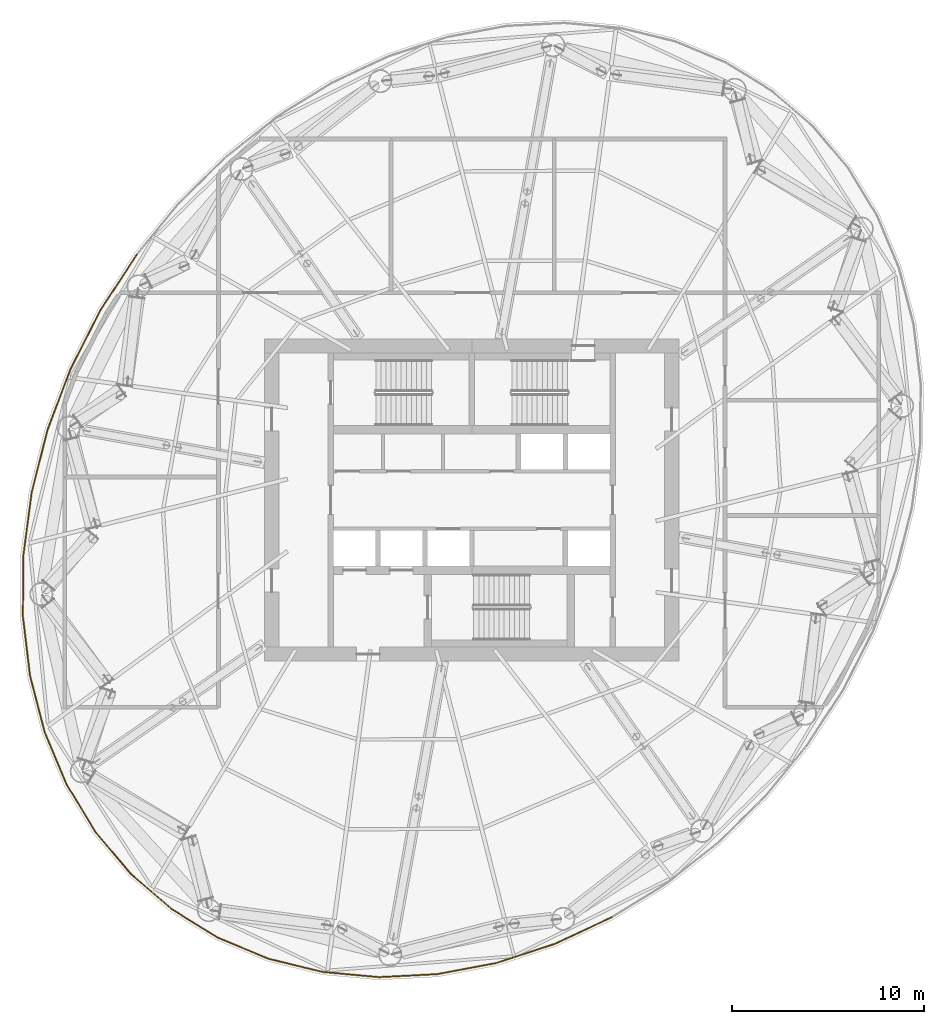
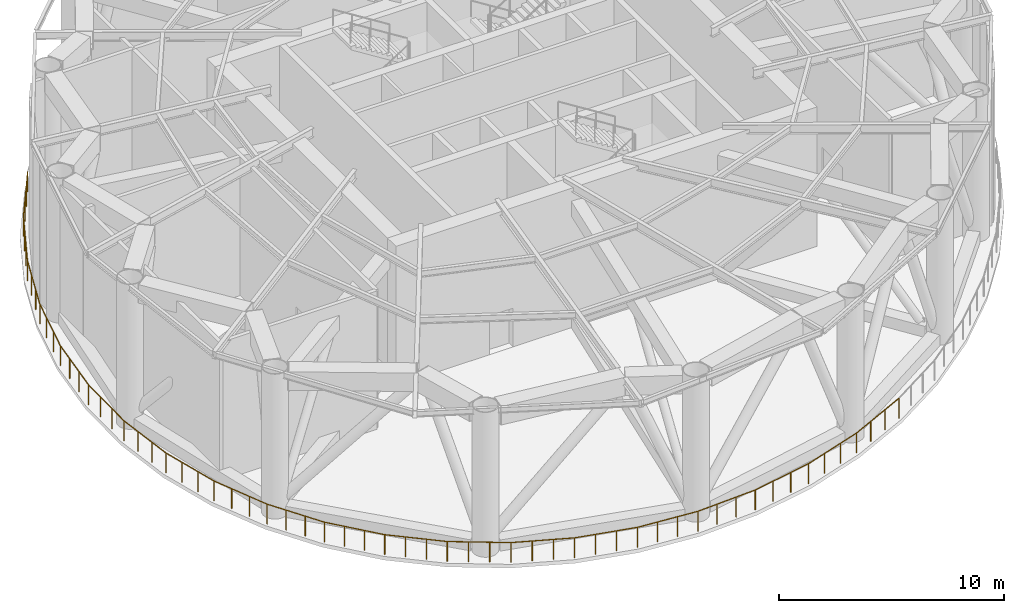
# One storey, part 13 of 15: 5 railings.
"""IFC4 building model written with IfcOpenShell, lengths in metres."""

from ifc_helpers import new_model, si_unit, direction, frame, origin, origin_2d, place, context, subcontext, project, spatial, circle, extrude, material, type_object, element, save


model = new_model("IFC4")

# Units and contexts
model_context = context("Model", 3, precision=1e-05, world=origin(), true_north=direction((0.0, 1.0)))
body_context = subcontext(model_context, "Body", "Model", "MODEL_VIEW")
ifc_project = project(units=[si_unit("LENGTHUNIT", "METRE"), si_unit("AREAUNIT", "SQUARE_METRE"), si_unit("VOLUMEUNIT", "CUBIC_METRE"), si_unit("PLANEANGLEUNIT", "RADIAN"), si_unit("MASSUNIT", "GRAM", prefix="KILO")], contexts=[model_context])

# Site, building, storey
site_placement = place(None, origin())
site = spatial("IfcSite", under=ifc_project, at=site_placement, CompositionType="ELEMENT")
building_placement = place(site_placement, origin())
building = spatial("IfcBuilding", under=site, at=building_placement, Name="Vermilion Reach Broadcast Tower", CompositionType="ELEMENT")
storey_placement = place(building_placement, frame((0.0, 0.0, 246.10009765625)))
storey = spatial("IfcBuildingStorey", under=building, at=storey_placement, Name="L61", CompositionType="ELEMENT", Elevation=246.10009765625)

# Railings
ifc_material = material(Name="Steel guardrail with stainless infill", Category="steel")
railing_type = type_object("IfcRailingType", Name="Open floor guardrail 1100", PredefinedType="GUARDRAIL", material=ifc_material)
railing_1_placement = place(storey_placement, frame((-23.447265625, 12.788330078125, 0.0)))
element("IfcRailing", 1, at=railing_1_placement, inside=storey, type_object=railing_type, Name="sp.rail.L61.03", PredefinedType="GUARDRAIL", context=body_context, shape_type="SweptSolid", body=[
    extrude(circle(Radius=0.02490234375, at=origin_2d()), frame((0.0, 0.0, 1.0751953125), z_axis=(-0.547053458419, -0.837097672695, 0.0), x_axis=(0.837097672695, -0.547053458419, 0.0)), (0.0, 0.0, 1.0), 3.458740234375),
    extrude(circle(Radius=0.02490234375, at=origin_2d()), frame((-1.89208984375, -2.895263671875, 1.0751953125), z_axis=(-0.453733271849, -0.891137541582, 0.0), x_axis=(0.891137541582, -0.453733271849, 0.0)), (0.0, 0.0, 1.0), 3.438720703125),
    extrude(circle(Radius=0.02490234375, at=origin_2d()), frame((-3.452392578125, -5.959716796875, 1.0751953125), z_axis=(-0.353411737076, -0.935467874433, 0.0), x_axis=(0.935467874433, -0.353411737076, 0.0)), (0.0, 0.0, 1.0), 3.40087890625),
    extrude(circle(Radius=0.02490234375, at=origin_2d()), frame((-4.654296875, -9.14111328125, 1.0751953125), z_axis=(-0.24586445997, -0.96930421815, 0.0), x_axis=(0.96930421815, -0.24586445997, 0.0)), (0.0, 0.0, 1.0), 3.346435546875),
    extrude(circle(Radius=0.02490234375, at=origin_2d()), origin(), (0.0, 0.0, 1.0), 1.050048828125),
    extrude(circle(Radius=0.02490234375, at=origin_2d()), frame((-0.630615234375, -0.965087890625, 0.0)), (0.0, 0.0, 1.0), 1.050048828125),
    extrude(circle(Radius=0.02490234375, at=origin_2d()), frame((-1.261474609375, -1.93017578125, 0.0)), (0.0, 0.0, 1.0), 1.050048828125),
    extrude(circle(Radius=0.02490234375, at=origin_2d()), frame((-1.89208984375, -2.895263671875, 0.0)), (0.0, 0.0, 1.0), 1.050048828125),
    extrude(circle(Radius=0.02490234375, at=origin_2d()), frame((-2.412109375, -3.916748046875, 0.0)), (0.0, 0.0, 1.0), 1.050048828125),
    extrude(circle(Radius=0.02490234375, at=origin_2d()), frame((-2.932373046875, -4.938232421875, 0.0)), (0.0, 0.0, 1.0), 1.050048828125),
    extrude(circle(Radius=0.02490234375, at=origin_2d()), frame((-3.452392578125, -5.959716796875, 0.0)), (0.0, 0.0, 1.0), 1.050048828125),
    extrude(circle(Radius=0.02490234375, at=origin_2d()), frame((-3.85302734375, -7.020263671875, 0.0)), (0.0, 0.0, 1.0), 1.050048828125),
    extrude(circle(Radius=0.02490234375, at=origin_2d()), frame((-4.253662109375, -8.08056640625, 0.0)), (0.0, 0.0, 1.0), 1.050048828125),
    extrude(circle(Radius=0.02490234375, at=origin_2d()), frame((-4.654296875, -9.14111328125, 0.0)), (0.0, 0.0, 1.0), 1.050048828125),
    extrude(circle(Radius=0.02490234375, at=origin_2d()), frame((-4.928466796875, -10.222412109375, 0.0)), (0.0, 0.0, 1.0), 1.050048828125),
    extrude(circle(Radius=0.02490234375, at=origin_2d()), frame((-5.202880859375, -11.303466796875, 0.0)), (0.0, 0.0, 1.0), 1.050048828125),
    extrude(circle(Radius=0.02490234375, at=origin_2d()), frame((-5.47705078125, -12.384765625, 0.0)), (0.0, 0.0, 1.0), 1.050048828125),
])
railing_2_placement = place(storey_placement, frame((-28.92431640625, 0.403564453125, 0.0)))
element("IfcRailing", 2, at=railing_2_placement, inside=storey, type_object=railing_type, Name="sp.rail.L61.04", PredefinedType="GUARDRAIL", context=body_context, shape_type="SweptSolid", body=[
    extrude(circle(Radius=0.02490234375, at=origin_2d()), frame((0.0, 0.0, 1.0751953125), z_axis=(-0.131227017509, -0.99135234396, 0.0), x_axis=(0.99135234396, -0.131227017509, 0.0)), (0.0, 0.0, 1.0), 3.278076171875),
    extrude(circle(Radius=0.02490234375, at=origin_2d()), frame((-0.43017578125, -3.249755859375, 1.0751953125), z_axis=(-0.009383169452, -0.999955977097, 0.0), x_axis=(0.999955977097, -0.009383169452, 0.0)), (0.0, 0.0, 1.0), 3.200439453125),
    extrude(circle(Radius=0.02490234375, at=origin_2d()), frame((-0.460205078125, -6.449951171875, 1.0751953125), z_axis=(0.118703687399, -0.99292972289, 0.0), x_axis=(0.99292972289, 0.118703687399, 0.0)), (0.0, 0.0, 1.0), 3.117919921875),
    extrude(circle(Radius=0.02490234375, at=origin_2d()), frame((-0.090087890625, -9.5458984375, 1.0751953125), z_axis=(0.25145608602, -0.967868708454, 0.0), x_axis=(0.967868708454, 0.25145608602, 0.0)), (0.0, 0.0, 1.0), 3.0361328125),
    extrude(circle(Radius=0.02490234375, at=origin_2d()), origin(), (0.0, 0.0, 1.0), 1.050048828125),
    extrude(circle(Radius=0.02490234375, at=origin_2d()), frame((-0.143310546875, -1.083251953125, 0.0)), (0.0, 0.0, 1.0), 1.050048828125),
    extrude(circle(Radius=0.02490234375, at=origin_2d()), frame((-0.286865234375, -2.16650390625, 0.0)), (0.0, 0.0, 1.0), 1.050048828125),
    extrude(circle(Radius=0.02490234375, at=origin_2d()), frame((-0.43017578125, -3.249755859375, 0.0)), (0.0, 0.0, 1.0), 1.050048828125),
    extrude(circle(Radius=0.02490234375, at=origin_2d()), frame((-0.440185546875, -4.31640625, 0.0)), (0.0, 0.0, 1.0), 1.050048828125),
    extrude(circle(Radius=0.02490234375, at=origin_2d()), frame((-0.4501953125, -5.38330078125, 0.0)), (0.0, 0.0, 1.0), 1.050048828125),
    extrude(circle(Radius=0.02490234375, at=origin_2d()), frame((-0.460205078125, -6.449951171875, 0.0)), (0.0, 0.0, 1.0), 1.050048828125),
    extrude(circle(Radius=0.02490234375, at=origin_2d()), frame((-0.3369140625, -7.48193359375, 0.0)), (0.0, 0.0, 1.0), 1.050048828125),
    extrude(circle(Radius=0.02490234375, at=origin_2d()), frame((-0.21337890625, -8.513916015625, 0.0)), (0.0, 0.0, 1.0), 1.050048828125),
    extrude(circle(Radius=0.02490234375, at=origin_2d()), frame((-0.090087890625, -9.5458984375, 0.0)), (0.0, 0.0, 1.0), 1.050048828125),
    extrude(circle(Radius=0.02490234375, at=origin_2d()), frame((0.164306640625, -10.525390625, 0.0)), (0.0, 0.0, 1.0), 1.050048828125),
    extrude(circle(Radius=0.02490234375, at=origin_2d()), frame((0.4189453125, -11.5048828125, 0.0)), (0.0, 0.0, 1.0), 1.050048828125),
    extrude(circle(Radius=0.02490234375, at=origin_2d()), frame((0.67333984375, -12.484375, 0.0)), (0.0, 0.0, 1.0), 1.050048828125),
])
railing_3_placement = place(storey_placement, frame((-28.2509765625, -12.080810546875, 0.0)))
element("IfcRailing", 3, at=railing_3_placement, inside=storey, type_object=railing_type, Name="sp.rail.L61.05", PredefinedType="GUARDRAIL", context=body_context, shape_type="SweptSolid", body=[
    extrude(circle(Radius=0.02490234375, at=origin_2d()), frame((0.0, 0.0, 1.0751953125), z_axis=(0.386271897217, -0.922384963787, 0.0), x_axis=(0.922384963787, 0.386271897217, 0.0)), (0.0, 0.0, 1.0), 2.96044921875),
    extrude(circle(Radius=0.02490234375, at=origin_2d()), frame((1.1435546875, -2.730712890625, 1.0751953125), z_axis=(0.518850605342, -0.854864930464, 0.0), x_axis=(0.854864930464, 0.518850605342, 0.0)), (0.0, 0.0, 1.0), 2.897705078125),
    extrude(circle(Radius=0.02490234375, at=origin_2d()), frame((2.64697265625, -5.207763671875, 1.0751953125), z_axis=(0.644367671969, -0.764715831745, 0.0), x_axis=(0.764715831745, 0.644367671969, 0.0)), (0.0, 0.0, 1.0), 2.852294921875),
    extrude(circle(Radius=0.02490234375, at=origin_2d()), frame((4.48486328125, -7.388916015625, 1.0751953125), z_axis=(0.756838534628, -0.653601891446, 0.0), x_axis=(0.653601891446, 0.756838534628, 0.0)), (0.0, 0.0, 1.0), 2.828369140625),
    extrude(circle(Radius=0.02490234375, at=origin_2d()), origin(), (0.0, 0.0, 1.0), 1.050048828125),
    extrude(circle(Radius=0.02490234375, at=origin_2d()), frame((0.381103515625, -0.91015625, 0.0)), (0.0, 0.0, 1.0), 1.050048828125),
    extrude(circle(Radius=0.02490234375, at=origin_2d()), frame((0.762451171875, -1.820556640625, 0.0)), (0.0, 0.0, 1.0), 1.050048828125),
    extrude(circle(Radius=0.02490234375, at=origin_2d()), frame((1.1435546875, -2.730712890625, 0.0)), (0.0, 0.0, 1.0), 1.050048828125),
    extrude(circle(Radius=0.02490234375, at=origin_2d()), frame((1.644775390625, -3.556396484375, 0.0)), (0.0, 0.0, 1.0), 1.050048828125),
    extrude(circle(Radius=0.02490234375, at=origin_2d()), frame((2.145751953125, -4.382080078125, 0.0)), (0.0, 0.0, 1.0), 1.050048828125),
    extrude(circle(Radius=0.02490234375, at=origin_2d()), frame((2.64697265625, -5.207763671875, 0.0)), (0.0, 0.0, 1.0), 1.050048828125),
    extrude(circle(Radius=0.02490234375, at=origin_2d()), frame((3.259521484375, -5.934814453125, 0.0)), (0.0, 0.0, 1.0), 1.050048828125),
    extrude(circle(Radius=0.02490234375, at=origin_2d()), frame((3.872314453125, -6.661865234375, 0.0)), (0.0, 0.0, 1.0), 1.050048828125),
    extrude(circle(Radius=0.02490234375, at=origin_2d()), frame((4.48486328125, -7.388916015625, 0.0)), (0.0, 0.0, 1.0), 1.050048828125),
    extrude(circle(Radius=0.02490234375, at=origin_2d()), frame((5.198486328125, -8.005126953125, 0.0)), (0.0, 0.0, 1.0), 1.050048828125),
    extrude(circle(Radius=0.02490234375, at=origin_2d()), frame((5.911865234375, -8.621337890625, 0.0)), (0.0, 0.0, 1.0), 1.050048828125),
    extrude(circle(Radius=0.02490234375, at=origin_2d()), frame((6.62548828125, -9.237548828125, 0.0)), (0.0, 0.0, 1.0), 1.050048828125),
])
railing_4_placement = place(storey_placement, frame((-21.62548828125, -21.318359375, 0.0)))
element("IfcRailing", 4, at=railing_4_placement, inside=storey, type_object=railing_type, Name="sp.rail.L61.06", PredefinedType="GUARDRAIL", context=body_context, shape_type="SweptSolid", body=[
    extrude(circle(Radius=0.02490234375, at=origin_2d()), frame((0.0, 0.0, 1.0751953125), z_axis=(0.851106588686, -0.524992928234, 0.0), x_axis=(0.524992928234, 0.851106588686, 0.0)), (0.0, 0.0, 1.0), 2.828369140625),
    extrude(circle(Radius=0.02490234375, at=origin_2d()), frame((2.4072265625, -1.48486328125, 1.0751953125), z_axis=(0.923264218257, -0.384165567545, 0.0), x_axis=(0.384165567545, 0.923264218257, 0.0)), (0.0, 0.0, 1.0), 2.85205078125),
    extrude(circle(Radius=0.02490234375, at=origin_2d()), frame((5.04052734375, -2.58056640625, 1.0751953125), z_axis=(0.971383456772, -0.237516693958, 0.0), x_axis=(0.237516693958, 0.971383456772, 0.0)), (0.0, 0.0, 1.0), 2.897705078125),
    extrude(circle(Radius=0.02490234375, at=origin_2d()), frame((7.855224609375, -3.268798828125, 1.0751953125), z_axis=(0.995884414195, -0.09063240901, 0.0), x_axis=(0.09063240901, 0.995884414195, 0.0)), (0.0, 0.0, 1.0), 2.96044921875),
    extrude(circle(Radius=0.02490234375, at=origin_2d()), origin(), (0.0, 0.0, 1.0), 1.050048828125),
    extrude(circle(Radius=0.02490234375, at=origin_2d()), frame((0.802490234375, -0.494873046875, 0.0)), (0.0, 0.0, 1.0), 1.050048828125),
    extrude(circle(Radius=0.02490234375, at=origin_2d()), frame((1.604736328125, -0.989990234375, 0.0)), (0.0, 0.0, 1.0), 1.050048828125),
    extrude(circle(Radius=0.02490234375, at=origin_2d()), frame((2.4072265625, -1.48486328125, 0.0)), (0.0, 0.0, 1.0), 1.050048828125),
    extrude(circle(Radius=0.02490234375, at=origin_2d()), frame((3.284912109375, -1.85009765625, 0.0)), (0.0, 0.0, 1.0), 1.050048828125),
    extrude(circle(Radius=0.02490234375, at=origin_2d()), frame((4.162841796875, -2.21533203125, 0.0)), (0.0, 0.0, 1.0), 1.050048828125),
    extrude(circle(Radius=0.02490234375, at=origin_2d()), frame((5.04052734375, -2.58056640625, 0.0)), (0.0, 0.0, 1.0), 1.050048828125),
    extrude(circle(Radius=0.02490234375, at=origin_2d()), frame((5.978759765625, -2.81005859375, 0.0)), (0.0, 0.0, 1.0), 1.050048828125),
    extrude(circle(Radius=0.02490234375, at=origin_2d()), frame((6.9169921875, -3.039306640625, 0.0)), (0.0, 0.0, 1.0), 1.050048828125),
    extrude(circle(Radius=0.02490234375, at=origin_2d()), frame((7.855224609375, -3.268798828125, 0.0)), (0.0, 0.0, 1.0), 1.050048828125),
    extrude(circle(Radius=0.02490234375, at=origin_2d()), frame((8.837890625, -3.358154296875, 0.0)), (0.0, 0.0, 1.0), 1.050048828125),
    extrude(circle(Radius=0.02490234375, at=origin_2d()), frame((9.82080078125, -3.44775390625, 0.0)), (0.0, 0.0, 1.0), 1.050048828125),
    extrude(circle(Radius=0.02490234375, at=origin_2d()), frame((10.803466796875, -3.537109375, 0.0)), (0.0, 0.0, 1.0), 1.050048828125),
])
railing_5_placement = place(storey_placement, frame((-10.822021484375, -24.85546875, 0.0)))
element("IfcRailing", 5, at=railing_5_placement, inside=storey, type_object=railing_type, Name="sp.rail.L61.07", PredefinedType="GUARDRAIL", context=body_context, shape_type="SweptSolid", body=[
    extrude(circle(Radius=0.02490234375, at=origin_2d()), frame((0.0, 0.0, 1.0751953125), z_axis=(0.998670629218, 0.051545846955, 0.0), x_axis=(-0.051545846955, 0.998670629218, 0.0)), (0.0, 0.0, 1.0), 3.0361328125),
    extrude(circle(Radius=0.02490234375, at=origin_2d()), frame((3.031982421875, 0.156494140625, 1.0751953125), z_axis=(0.982600768773, 0.185730259266, 0.0), x_axis=(-0.185730259266, 0.982600768773, 0.0)), (0.0, 0.0, 1.0), 3.117919921875),
    extrude(circle(Radius=0.02490234375, at=origin_2d()), frame((6.095703125, 0.735595703125, 1.0751953125), z_axis=(0.950752810665, 0.309950146011, 0.0), x_axis=(-0.309950146011, 0.950752810665, 0.0)), (0.0, 0.0, 1.0), 3.200439453125),
    extrude(circle(Radius=0.02490234375, at=origin_2d()), frame((9.138427734375, 1.7275390625, 1.0751953125), z_axis=(0.905884208304, 0.423525443327, 0.0), x_axis=(-0.423525443327, 0.905884208304, 0.0)), (0.0, 0.0, 1.0), 3.2783203125),
    extrude(circle(Radius=0.02490234375, at=origin_2d()), origin(), (0.0, 0.0, 1.0), 1.050048828125),
    extrude(circle(Radius=0.02490234375, at=origin_2d()), frame((1.0107421875, 0.05224609375, 0.0)), (0.0, 0.0, 1.0), 1.050048828125),
    extrude(circle(Radius=0.02490234375, at=origin_2d()), frame((2.021240234375, 0.104248046875, 0.0)), (0.0, 0.0, 1.0), 1.050048828125),
    extrude(circle(Radius=0.02490234375, at=origin_2d()), frame((3.031982421875, 0.156494140625, 0.0)), (0.0, 0.0, 1.0), 1.050048828125),
    extrude(circle(Radius=0.02490234375, at=origin_2d()), frame((4.05322265625, 0.349609375, 0.0)), (0.0, 0.0, 1.0), 1.050048828125),
    extrude(circle(Radius=0.02490234375, at=origin_2d()), frame((5.074462890625, 0.54248046875, 0.0)), (0.0, 0.0, 1.0), 1.050048828125),
    extrude(circle(Radius=0.02490234375, at=origin_2d()), frame((6.095703125, 0.735595703125, 0.0)), (0.0, 0.0, 1.0), 1.050048828125),
    extrude(circle(Radius=0.02490234375, at=origin_2d()), frame((7.10986328125, 1.066162109375, 0.0)), (0.0, 0.0, 1.0), 1.050048828125),
    extrude(circle(Radius=0.02490234375, at=origin_2d()), frame((8.124267578125, 1.39697265625, 0.0)), (0.0, 0.0, 1.0), 1.050048828125),
    extrude(circle(Radius=0.02490234375, at=origin_2d()), frame((9.138427734375, 1.7275390625, 0.0)), (0.0, 0.0, 1.0), 1.050048828125),
    extrude(circle(Radius=0.02490234375, at=origin_2d()), frame((10.12841796875, 2.1904296875, 0.0)), (0.0, 0.0, 1.0), 1.050048828125),
    extrude(circle(Radius=0.02490234375, at=origin_2d()), frame((11.1181640625, 2.653076171875, 0.0)), (0.0, 0.0, 1.0), 1.050048828125),
    extrude(circle(Radius=0.02490234375, at=origin_2d()), frame((12.108154296875, 3.115966796875, 0.0)), (0.0, 0.0, 1.0), 1.050048828125),
])

save(model, "model.ifc")
